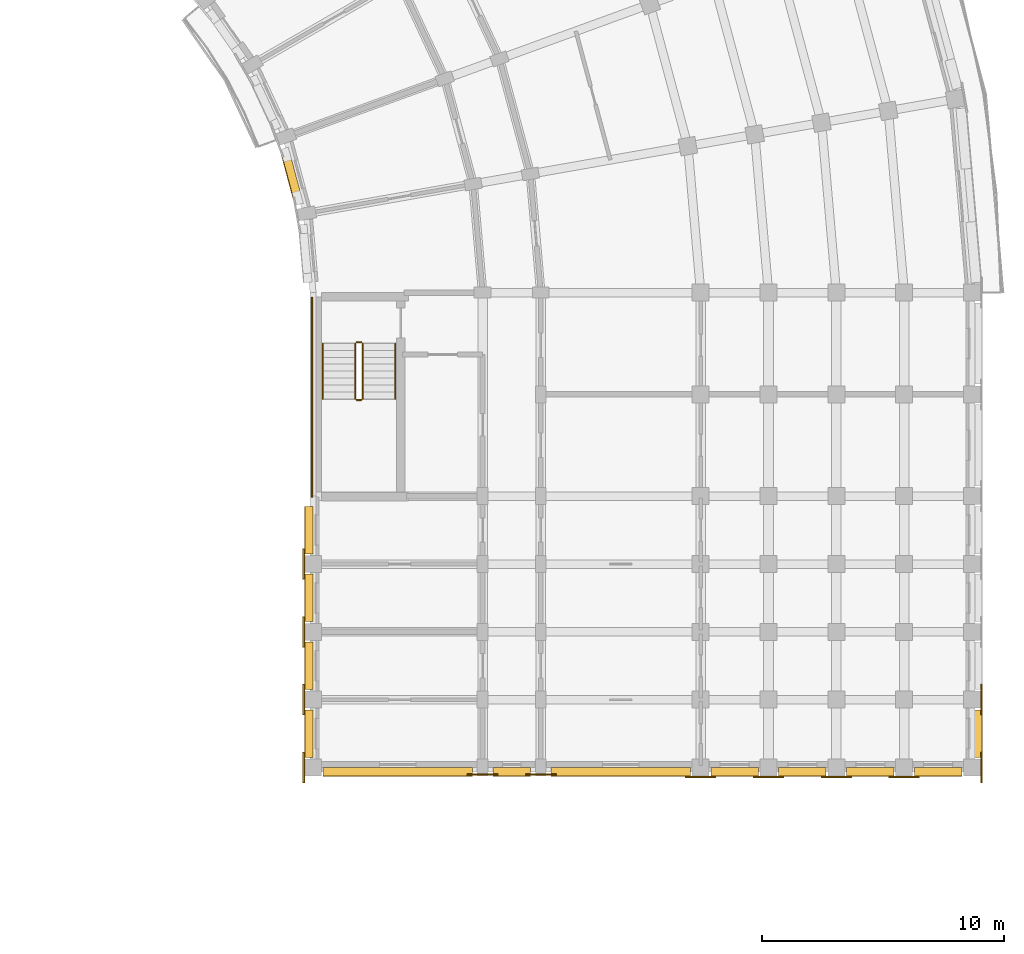
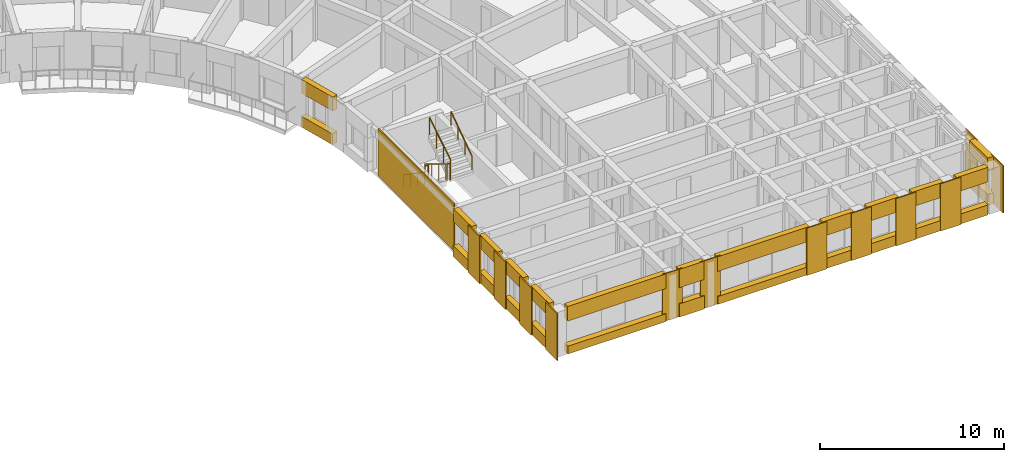
# One storey, part 55 of 57: 39 coverings, 6 railings.
"""IFC4 building model written with IfcOpenShell, lengths in metres."""

from ifc_helpers import new_model, si_unit, direction, frame, origin, origin_2d, place, context, subcontext, project, spatial, polyline, circle, outline, extrude, material, layer, layer_set, type_object, element, save


model = new_model("IFC4")

# Units and contexts
model_context = context("Model", 3, precision=1e-05, world=origin(), true_north=direction((0.0, 1.0)))
body_context = subcontext(model_context, "Body", "Model", "MODEL_VIEW")
ifc_project = project(units=[si_unit("LENGTHUNIT", "METRE"), si_unit("AREAUNIT", "SQUARE_METRE"), si_unit("VOLUMEUNIT", "CUBIC_METRE"), si_unit("PLANEANGLEUNIT", "RADIAN"), si_unit("MASSUNIT", "GRAM", prefix="KILO")], contexts=[model_context])

# Site, building, storey
site_placement = place(None, origin())
site = spatial("IfcSite", under=ifc_project, at=site_placement, CompositionType="ELEMENT")
building_placement = place(site_placement, origin())
building = spatial("IfcBuilding", under=site, at=building_placement, Name="Kiranvali Square Residences", CompositionType="ELEMENT")
storey_placement = place(building_placement, frame((0.0, 0.0, 24.449951171875)))
storey = spatial("IfcBuildingStorey", under=building, at=storey_placement, Name="L07", CompositionType="ELEMENT", Elevation=24.449951171875)

# Coverings
ifc_material_1 = material(Name="Honed Porbandar limestone ashlar facade cladding", Category="masonry")
ifc_layer_1 = layer(ifc_material_1, 0.06494140625)
ifc_layer_set_1 = layer_set([ifc_layer_1], Name="Honed Porbandar limestone ashlar facade cladding")
covering_type_1 = type_object("IfcCoveringType", Name="COV-CLAD-PIER", PredefinedType="CLADDING", material=ifc_layer_set_1)
covering_1_placement = place(storey_placement, frame((0.0, 0.0, 0.005126953125)))
element("IfcCovering", 1, at=covering_1_placement, inside=storey, type_object=covering_type_1, Name="L07 Classical limestone pilaster casing CLAD-PR-B-L07-V167", PredefinedType="CLADDING", context=body_context, shape_type="SweptSolid", body=[
    extrude(outline(polyline([(166.150390625, 71.6298828125), (166.150390625, 70.3701171875), (166.218017578125, 70.3701171875), (166.218017578125, 71.6298828125), (166.150390625, 71.6298828125)])), origin(), (0.0, 0.0, 1.0), 3.139892578125),
])
covering_2_placement = place(storey_placement, frame((0.0, 0.0, 0.005126953125)))
element("IfcCovering", 2, at=covering_2_placement, inside=storey, type_object=covering_type_1, Name="L07 Classical limestone pilaster casing CLAD-PR-B-L07-V196", PredefinedType="CLADDING", context=body_context, shape_type="SweptSolid", body=[
    extrude(outline(polyline([(166.150390625, 68.830078125), (166.150390625, 67.570068359375), (166.218017578125, 67.570068359375), (166.218017578125, 68.830078125), (166.150390625, 68.830078125)])), origin(), (0.0, 0.0, 1.0), 3.139892578125),
])
covering_3_placement = place(storey_placement, frame((0.0, 0.0, 0.005126953125)))
element("IfcCovering", 3, at=covering_3_placement, inside=storey, type_object=covering_type_1, Name="Block B L07 Arm 2 stair limestone ashlar cladding", PredefinedType="CLADDING", context=body_context, shape_type="SweptSolid", body=[
    extrude(outline(polyline([(138.52001953125, 87.60009765625), (138.52001953125, 79.35009765625), (138.597900390625, 79.35009765625), (138.597900390625, 87.60009765625), (138.52001953125, 87.60009765625)])), origin(), (0.0, 0.0, 1.0), 3.139892578125),
])
ifc_layer_2 = layer(ifc_material_1, 0.050048828125)
ifc_layer_set_2 = layer_set([ifc_layer_2], Name="Honed Porbandar limestone ashlar facade cladding")
covering_type_2 = type_object("IfcCoveringType", Name="COV-CLAD-PIER-IN", PredefinedType="CLADDING", material=ifc_layer_set_2)
covering_4_placement = place(storey_placement, frame((0.0, 0.0, 0.005126953125)))
element("IfcCovering", 4, at=covering_4_placement, inside=storey, type_object=covering_type_2, Name="L07 Classical limestone pilaster casing CLAD-PRA2I-B-L07-V112", PredefinedType="CLADDING", context=body_context, shape_type="SweptSolid", body=[
    extrude(outline(polyline([(138.181884765625, 77.22998046875), (138.181884765625, 75.969970703125), (138.24951171875, 75.969970703125), (138.24951171875, 77.22998046875), (138.181884765625, 77.22998046875)])), origin(), (0.0, 0.0, 1.0), 3.139892578125),
])
covering_5_placement = place(storey_placement, frame((0.0, 0.0, 0.005126953125)))
element("IfcCovering", 5, at=covering_5_placement, inside=storey, type_object=covering_type_2, Name="L07 Classical limestone pilaster casing CLAD-PRA2I-B-L07-V140", PredefinedType="CLADDING", context=body_context, shape_type="SweptSolid", body=[
    extrude(outline(polyline([(138.181884765625, 74.429931640625), (138.181884765625, 73.169921875), (138.24951171875, 73.169921875), (138.24951171875, 74.429931640625), (138.181884765625, 74.429931640625)])), origin(), (0.0, 0.0, 1.0), 3.139892578125),
])
covering_6_placement = place(storey_placement, frame((0.0, 0.0, 0.005126953125)))
element("IfcCovering", 6, at=covering_6_placement, inside=storey, type_object=covering_type_2, Name="L07 Classical limestone pilaster casing CLAD-PRA2I-B-L07-V167", PredefinedType="CLADDING", context=body_context, shape_type="SweptSolid", body=[
    extrude(outline(polyline([(138.181884765625, 71.6298828125), (138.181884765625, 70.3701171875), (138.24951171875, 70.3701171875), (138.24951171875, 71.6298828125), (138.181884765625, 71.6298828125)])), origin(), (0.0, 0.0, 1.0), 3.139892578125),
])
covering_7_placement = place(storey_placement, frame((0.0, 0.0, 0.005126953125)))
element("IfcCovering", 7, at=covering_7_placement, inside=storey, type_object=covering_type_2, Name="L07 Classical limestone pilaster casing CLAD-PRA2I-B-L07-V196", PredefinedType="CLADDING", context=body_context, shape_type="SweptSolid", body=[
    extrude(outline(polyline([(138.181884765625, 68.830078125), (138.181884765625, 67.570068359375), (138.24951171875, 67.570068359375), (138.24951171875, 68.830078125), (138.181884765625, 68.830078125)])), origin(), (0.0, 0.0, 1.0), 3.139892578125),
])
ifc_layer_3 = layer(ifc_material_1, 0.054931640625)
ifc_layer_set_3 = layer_set([ifc_layer_3], Name="Honed Porbandar limestone ashlar facade cladding")
covering_type_3 = type_object("IfcCoveringType", Name="COV-CLAD-PIER-UP", PredefinedType="CLADDING", material=ifc_layer_set_3)
covering_8_placement = place(storey_placement, frame((0.0, 0.0, 0.005126953125)))
element("IfcCovering", 8, at=covering_8_placement, inside=storey, type_object=covering_type_3, Name="L07 Classical limestone pilaster casing CLAD-PRA2E-B-L07-R258", PredefinedType="CLADDING", context=body_context, shape_type="SweptSolid", body=[
    extrude(outline(polyline([(144.969970703125, 67.882080078125), (146.22998046875, 67.882080078125), (146.22998046875, 67.949462890625), (144.969970703125, 67.949462890625), (144.969970703125, 67.882080078125)])), origin(), (0.0, 0.0, 1.0), 3.139892578125),
])
covering_9_placement = place(storey_placement, frame((0.0, 0.0, 0.005126953125)))
element("IfcCovering", 9, at=covering_9_placement, inside=storey, type_object=covering_type_3, Name="L07 Classical limestone pilaster casing CLAD-PRA2E-B-L07-R282", PredefinedType="CLADDING", context=body_context, shape_type="SweptSolid", body=[
    extrude(outline(polyline([(147.3701171875, 67.882080078125), (148.6298828125, 67.882080078125), (148.6298828125, 67.949462890625), (147.3701171875, 67.949462890625), (147.3701171875, 67.882080078125)])), origin(), (0.0, 0.0, 1.0), 3.139892578125),
])
covering_10_placement = place(storey_placement, frame((0.0, 0.0, 0.005126953125)))
element("IfcCovering", 10, at=covering_10_placement, inside=storey, type_object=covering_type_3, Name="L07 Classical limestone pilaster casing CLAD-PRA2E-B-L07-R348", PredefinedType="CLADDING", context=body_context, shape_type="SweptSolid", body=[
    extrude(outline(polyline([(153.969970703125, 67.781982421875), (155.22998046875, 67.781982421875), (155.22998046875, 67.849609375), (153.969970703125, 67.849609375), (153.969970703125, 67.781982421875)])), origin(), (0.0, 0.0, 1.0), 3.139892578125),
])
covering_11_placement = place(storey_placement, frame((0.0, 0.0, 0.005126953125)))
element("IfcCovering", 11, at=covering_11_placement, inside=storey, type_object=covering_type_3, Name="L07 Classical limestone pilaster casing CLAD-PRA2E-B-L07-R376", PredefinedType="CLADDING", context=body_context, shape_type="SweptSolid", body=[
    extrude(outline(polyline([(156.77001953125, 67.781982421875), (158.030029296875, 67.781982421875), (158.030029296875, 67.849609375), (156.77001953125, 67.849609375), (156.77001953125, 67.781982421875)])), origin(), (0.0, 0.0, 1.0), 3.139892578125),
])
covering_12_placement = place(storey_placement, frame((0.0, 0.0, 0.005126953125)))
element("IfcCovering", 12, at=covering_12_placement, inside=storey, type_object=covering_type_3, Name="L07 Classical limestone pilaster casing CLAD-PRA2E-B-L07-R404", PredefinedType="CLADDING", context=body_context, shape_type="SweptSolid", body=[
    extrude(outline(polyline([(159.570068359375, 67.781982421875), (160.830078125, 67.781982421875), (160.830078125, 67.849609375), (159.570068359375, 67.849609375), (159.570068359375, 67.781982421875)])), origin(), (0.0, 0.0, 1.0), 3.139892578125),
])
covering_13_placement = place(storey_placement, frame((0.0, 0.0, 0.005126953125)))
element("IfcCovering", 13, at=covering_13_placement, inside=storey, type_object=covering_type_3, Name="L07 Classical limestone pilaster casing CLAD-PRA2E-B-L07-R432", PredefinedType="CLADDING", context=body_context, shape_type="SweptSolid", body=[
    extrude(outline(polyline([(162.3701171875, 67.781982421875), (163.6298828125, 67.781982421875), (163.6298828125, 67.849609375), (162.3701171875, 67.849609375), (162.3701171875, 67.781982421875)])), origin(), (0.0, 0.0, 1.0), 3.139892578125),
])
ifc_layer_4 = layer(ifc_material_1, 0.360107421875)
ifc_layer_set_4 = layer_set([ifc_layer_4], Name="Honed Porbandar limestone ashlar facade cladding")
covering_type_4 = type_object("IfcCoveringType", Name="COV-CLAD-WALL", PredefinedType="CLADDING", material=ifc_layer_set_4)
covering_14_placement = place(storey_placement, frame((0.0, 0.0, 2.22216796875)))
element("IfcCovering", 14, at=covering_14_placement, inside=storey, type_object=covering_type_4, Name="L07 light limestone spandrel lintel B-L07-GDN-07", PredefinedType="CLADDING", context=body_context, shape_type="SweptSolid", body=[
    extrude(outline(polyline([(137.251708984375, 93.717041015625), (137.8720703125, 91.401611328125), (138.199951171875, 91.489501953125), (137.57958984375, 93.804931640625), (137.251708984375, 93.717041015625)])), origin(), (0.0, 0.0, 1.0), 0.9228515625),
])
covering_15_placement = place(storey_placement, frame((0.0, 0.0, 2.27197265625)))
element("IfcCovering", 15, at=covering_15_placement, inside=storey, type_object=covering_type_4, Name="L07 light limestone spandrel lintel B-L07-A2O-5", PredefinedType="CLADDING", context=body_context, shape_type="SweptSolid", body=[
    extrude(outline(polyline([(165.800537109375, 70.580078125), (165.800537109375, 68.6201171875), (166.199951171875, 68.6201171875), (166.199951171875, 70.580078125), (165.800537109375, 70.580078125)])), origin(), (0.0, 0.0, 1.0), 0.873046875),
])
covering_16_placement = place(storey_placement, frame((0.0, 0.0, 0.005126953125)))
element("IfcCovering", 16, at=covering_16_placement, inside=storey, type_object=covering_type_4, Name="L07 limestone window sill apron B-L07-A2O-5", PredefinedType="CLADDING", context=body_context, shape_type="SweptSolid", body=[
    extrude(outline(polyline([(165.800537109375, 70.580078125), (165.800537109375, 68.6201171875), (166.22998046875, 68.6201171875), (166.22998046875, 70.580078125), (165.800537109375, 70.580078125)])), origin(), (0.0, 0.0, 1.0), 0.717041015625),
])
covering_17_placement = place(storey_placement, frame((0.0, 0.0, 2.27197265625)))
element("IfcCovering", 17, at=covering_17_placement, inside=storey, type_object=covering_type_4, Name="L07 light limestone spandrel lintel B-L07-A2I-0", PredefinedType="CLADDING", context=body_context, shape_type="SweptSolid", body=[
    extrude(outline(polyline([(138.280029296875, 78.97998046875), (138.280029296875, 77.02001953125), (138.599609375, 77.02001953125), (138.599609375, 78.97998046875), (138.280029296875, 78.97998046875)])), origin(), (0.0, 0.0, 1.0), 0.873046875),
])
covering_18_placement = place(storey_placement, frame((0.0, 0.0, 0.005126953125)))
element("IfcCovering", 18, at=covering_18_placement, inside=storey, type_object=covering_type_4, Name="L07 limestone window sill apron B-L07-A2I-0", PredefinedType="CLADDING", context=body_context, shape_type="SweptSolid", body=[
    extrude(outline(polyline([(138.25, 78.97998046875), (138.25, 77.02001953125), (138.599609375, 77.02001953125), (138.599609375, 78.97998046875), (138.25, 78.97998046875)])), origin(), (0.0, 0.0, 1.0), 0.717041015625),
])
covering_19_placement = place(storey_placement, frame((0.0, 0.0, 2.27197265625)))
element("IfcCovering", 19, at=covering_19_placement, inside=storey, type_object=covering_type_4, Name="L07 light limestone spandrel lintel B-L07-A2I-1", PredefinedType="CLADDING", context=body_context, shape_type="SweptSolid", body=[
    extrude(outline(polyline([(138.280029296875, 76.179931640625), (138.280029296875, 74.219970703125), (138.599609375, 74.219970703125), (138.599609375, 76.179931640625), (138.280029296875, 76.179931640625)])), origin(), (0.0, 0.0, 1.0), 0.873046875),
])
covering_20_placement = place(storey_placement, frame((0.0, 0.0, 0.005126953125)))
element("IfcCovering", 20, at=covering_20_placement, inside=storey, type_object=covering_type_4, Name="L07 limestone window sill apron B-L07-A2I-1", PredefinedType="CLADDING", context=body_context, shape_type="SweptSolid", body=[
    extrude(outline(polyline([(138.25, 76.179931640625), (138.25, 74.219970703125), (138.599609375, 74.219970703125), (138.599609375, 76.179931640625), (138.25, 76.179931640625)])), origin(), (0.0, 0.0, 1.0), 0.717041015625),
])
covering_21_placement = place(storey_placement, frame((0.0, 0.0, 2.27197265625)))
element("IfcCovering", 21, at=covering_21_placement, inside=storey, type_object=covering_type_4, Name="L07 light limestone spandrel lintel B-L07-A2I-2", PredefinedType="CLADDING", context=body_context, shape_type="SweptSolid", body=[
    extrude(outline(polyline([(138.280029296875, 73.3798828125), (138.280029296875, 71.419921875), (138.599609375, 71.419921875), (138.599609375, 73.3798828125), (138.280029296875, 73.3798828125)])), origin(), (0.0, 0.0, 1.0), 0.873046875),
])
covering_22_placement = place(storey_placement, frame((0.0, 0.0, 0.005126953125)))
element("IfcCovering", 22, at=covering_22_placement, inside=storey, type_object=covering_type_4, Name="L07 limestone window sill apron B-L07-A2I-2", PredefinedType="CLADDING", context=body_context, shape_type="SweptSolid", body=[
    extrude(outline(polyline([(138.25, 73.3798828125), (138.25, 71.419921875), (138.599609375, 71.419921875), (138.599609375, 73.3798828125), (138.25, 73.3798828125)])), origin(), (0.0, 0.0, 1.0), 0.717041015625),
])
covering_23_placement = place(storey_placement, frame((0.0, 0.0, 2.27197265625)))
element("IfcCovering", 23, at=covering_23_placement, inside=storey, type_object=covering_type_4, Name="L07 light limestone spandrel lintel B-L07-A2I-3", PredefinedType="CLADDING", context=body_context, shape_type="SweptSolid", body=[
    extrude(outline(polyline([(138.280029296875, 70.580078125), (138.280029296875, 68.6201171875), (138.599609375, 68.6201171875), (138.599609375, 70.580078125), (138.280029296875, 70.580078125)])), origin(), (0.0, 0.0, 1.0), 0.873046875),
])
covering_24_placement = place(storey_placement, frame((0.0, 0.0, 0.005126953125)))
element("IfcCovering", 24, at=covering_24_placement, inside=storey, type_object=covering_type_4, Name="L07 limestone window sill apron B-L07-A2I-3", PredefinedType="CLADDING", context=body_context, shape_type="SweptSolid", body=[
    extrude(outline(polyline([(138.25, 70.580078125), (138.25, 68.6201171875), (138.599609375, 68.6201171875), (138.599609375, 70.580078125), (138.25, 70.580078125)])), origin(), (0.0, 0.0, 1.0), 0.717041015625),
])
covering_25_placement = place(storey_placement, frame((0.0, 0.0, 2.172119140625)))
element("IfcCovering", 25, at=covering_25_placement, inside=storey, type_object=covering_type_4, Name="L07 light limestone spandrel lintel B-L07-A2END-0", PredefinedType="CLADDING", context=body_context, shape_type="SweptSolid", body=[
    extrude(outline(polyline([(139.02001953125, 67.860107421875), (145.179931640625, 67.860107421875), (145.179931640625, 68.199462890625), (139.02001953125, 68.199462890625), (139.02001953125, 67.860107421875)])), origin(), (0.0, 0.0, 1.0), 0.972900390625),
])
covering_26_placement = place(storey_placement, frame((0.0, 0.0, 0.005126953125)))
element("IfcCovering", 26, at=covering_26_placement, inside=storey, type_object=covering_type_4, Name="L07 limestone window sill apron B-L07-A2END-0", PredefinedType="CLADDING", context=body_context, shape_type="SweptSolid", body=[
    extrude(outline(polyline([(139.02001953125, 67.830078125), (145.179931640625, 67.830078125), (145.179931640625, 68.199462890625), (139.02001953125, 68.199462890625), (139.02001953125, 67.830078125)])), origin(), (0.0, 0.0, 1.0), 0.516845703125),
])
covering_27_placement = place(storey_placement, frame((0.0, 0.0, 1.929931640625)))
element("IfcCovering", 27, at=covering_27_placement, inside=storey, type_object=covering_type_4, Name="L07 light limestone spandrel lintel B-L07-A2END-1", PredefinedType="CLADDING", context=body_context, shape_type="SweptSolid", body=[
    extrude(outline(polyline([(146.02001953125, 67.860107421875), (147.580078125, 67.860107421875), (147.580078125, 68.199462890625), (146.02001953125, 68.199462890625), (146.02001953125, 67.860107421875)])), origin(), (0.0, 0.0, 1.0), 1.215087890625),
])
covering_28_placement = place(storey_placement, frame((0.0, 0.0, 0.005126953125)))
element("IfcCovering", 28, at=covering_28_placement, inside=storey, type_object=covering_type_4, Name="L07 limestone window sill apron B-L07-A2END-1", PredefinedType="CLADDING", context=body_context, shape_type="SweptSolid", body=[
    extrude(outline(polyline([(146.02001953125, 67.830078125), (147.580078125, 67.830078125), (147.580078125, 68.199462890625), (146.02001953125, 68.199462890625), (146.02001953125, 67.830078125)])), origin(), (0.0, 0.0, 1.0), 0.875),
])
covering_29_placement = place(storey_placement, frame((0.0, 0.0, 2.172119140625)))
element("IfcCovering", 29, at=covering_29_placement, inside=storey, type_object=covering_type_4, Name="L07 light limestone spandrel lintel B-L07-A2END-2", PredefinedType="CLADDING", context=body_context, shape_type="SweptSolid", body=[
    extrude(outline(polyline([(148.419921875, 67.860107421875), (154.179931640625, 67.860107421875), (154.179931640625, 68.199462890625), (148.419921875, 68.199462890625), (148.419921875, 67.860107421875)])), origin(), (0.0, 0.0, 1.0), 0.972900390625),
])
covering_30_placement = place(storey_placement, frame((0.0, 0.0, 0.005126953125)))
element("IfcCovering", 30, at=covering_30_placement, inside=storey, type_object=covering_type_4, Name="L07 limestone window sill apron B-L07-A2END-2", PredefinedType="CLADDING", context=body_context, shape_type="SweptSolid", body=[
    extrude(outline(polyline([(148.419921875, 67.830078125), (154.179931640625, 67.830078125), (154.179931640625, 68.199462890625), (148.419921875, 68.199462890625), (148.419921875, 67.830078125)])), origin(), (0.0, 0.0, 1.0), 0.516845703125),
])
covering_31_placement = place(storey_placement, frame((0.0, 0.0, 2.172119140625)))
element("IfcCovering", 31, at=covering_31_placement, inside=storey, type_object=covering_type_4, Name="L07 light limestone spandrel lintel B-L07-A2END-3", PredefinedType="CLADDING", context=body_context, shape_type="SweptSolid", body=[
    extrude(outline(polyline([(155.02001953125, 67.860107421875), (156.97998046875, 67.860107421875), (156.97998046875, 68.199462890625), (155.02001953125, 68.199462890625), (155.02001953125, 67.860107421875)])), origin(), (0.0, 0.0, 1.0), 0.972900390625),
])
covering_32_placement = place(storey_placement, frame((0.0, 0.0, 0.005126953125)))
element("IfcCovering", 32, at=covering_32_placement, inside=storey, type_object=covering_type_4, Name="L07 limestone window sill apron B-L07-A2END-3", PredefinedType="CLADDING", context=body_context, shape_type="SweptSolid", body=[
    extrude(outline(polyline([(155.02001953125, 67.830078125), (156.97998046875, 67.830078125), (156.97998046875, 68.199462890625), (155.02001953125, 68.199462890625), (155.02001953125, 67.830078125)])), origin(), (0.0, 0.0, 1.0), 0.6669921875),
])
covering_33_placement = place(storey_placement, frame((0.0, 0.0, 2.172119140625)))
element("IfcCovering", 33, at=covering_33_placement, inside=storey, type_object=covering_type_4, Name="L07 light limestone spandrel lintel B-L07-A2END-4", PredefinedType="CLADDING", context=body_context, shape_type="SweptSolid", body=[
    extrude(outline(polyline([(157.820068359375, 67.860107421875), (159.780029296875, 67.860107421875), (159.780029296875, 68.199462890625), (157.820068359375, 68.199462890625), (157.820068359375, 67.860107421875)])), origin(), (0.0, 0.0, 1.0), 0.972900390625),
])
covering_34_placement = place(storey_placement, frame((0.0, 0.0, 0.005126953125)))
element("IfcCovering", 34, at=covering_34_placement, inside=storey, type_object=covering_type_4, Name="L07 limestone window sill apron B-L07-A2END-4", PredefinedType="CLADDING", context=body_context, shape_type="SweptSolid", body=[
    extrude(outline(polyline([(157.820068359375, 67.830078125), (159.780029296875, 67.830078125), (159.780029296875, 68.199462890625), (157.820068359375, 68.199462890625), (157.820068359375, 67.830078125)])), origin(), (0.0, 0.0, 1.0), 0.6669921875),
])
covering_35_placement = place(storey_placement, frame((0.0, 0.0, 2.172119140625)))
element("IfcCovering", 35, at=covering_35_placement, inside=storey, type_object=covering_type_4, Name="L07 light limestone spandrel lintel B-L07-A2END-5", PredefinedType="CLADDING", context=body_context, shape_type="SweptSolid", body=[
    extrude(outline(polyline([(160.6201171875, 67.860107421875), (162.580078125, 67.860107421875), (162.580078125, 68.199462890625), (160.6201171875, 68.199462890625), (160.6201171875, 67.860107421875)])), origin(), (0.0, 0.0, 1.0), 0.972900390625),
])
covering_36_placement = place(storey_placement, frame((0.0, 0.0, 0.005126953125)))
element("IfcCovering", 36, at=covering_36_placement, inside=storey, type_object=covering_type_4, Name="L07 limestone window sill apron B-L07-A2END-5", PredefinedType="CLADDING", context=body_context, shape_type="SweptSolid", body=[
    extrude(outline(polyline([(160.6201171875, 67.830078125), (162.580078125, 67.830078125), (162.580078125, 68.199462890625), (160.6201171875, 68.199462890625), (160.6201171875, 67.830078125)])), origin(), (0.0, 0.0, 1.0), 0.6669921875),
])
covering_37_placement = place(storey_placement, frame((0.0, 0.0, 2.172119140625)))
element("IfcCovering", 37, at=covering_37_placement, inside=storey, type_object=covering_type_4, Name="L07 light limestone spandrel lintel B-L07-A2END-6", PredefinedType="CLADDING", context=body_context, shape_type="SweptSolid", body=[
    extrude(outline(polyline([(163.419921875, 67.860107421875), (165.3798828125, 67.860107421875), (165.3798828125, 68.199462890625), (163.419921875, 68.199462890625), (163.419921875, 67.860107421875)])), origin(), (0.0, 0.0, 1.0), 0.972900390625),
])
covering_38_placement = place(storey_placement, frame((0.0, 0.0, 0.005126953125)))
element("IfcCovering", 38, at=covering_38_placement, inside=storey, type_object=covering_type_4, Name="L07 limestone window sill apron B-L07-A2END-6", PredefinedType="CLADDING", context=body_context, shape_type="SweptSolid", body=[
    extrude(outline(polyline([(163.419921875, 67.830078125), (165.3798828125, 67.830078125), (165.3798828125, 68.199462890625), (163.419921875, 68.199462890625), (163.419921875, 67.830078125)])), origin(), (0.0, 0.0, 1.0), 0.6669921875),
])
ifc_layer_5 = layer(ifc_material_1, 0.2900390625)
ifc_layer_set_5 = layer_set([ifc_layer_5], Name="Honed Porbandar limestone ashlar facade cladding")
covering_type_5 = type_object("IfcCoveringType", Name="COV-CLAD-WALL-IN", PredefinedType="CLADDING", material=ifc_layer_set_5)
covering_39_placement = place(storey_placement, frame((0.0, 0.0, 0.005126953125)))
element("IfcCovering", 39, at=covering_39_placement, inside=storey, type_object=covering_type_5, Name="L07 limestone window sill apron B-L07-GDN-07", PredefinedType="CLADDING", context=body_context, shape_type="SweptSolid", body=[
    extrude(outline(polyline([(137.22265625, 93.709228515625), (137.843017578125, 91.393798828125), (138.199951171875, 91.489501953125), (137.57958984375, 93.804931640625), (137.22265625, 93.709228515625)])), origin(), (0.0, 0.0, 1.0), 0.717041015625),
])

# Railings
ifc_material_2 = material(Name="Brushed stainless steel tubular handrail", Category="steel")
railing_type_1 = type_object("IfcRailingType", Name="RL-HANDRAIL-900", PredefinedType="HANDRAIL", material=ifc_material_2)
railing_1_placement = place(storey_placement, frame((139.0, 85.699951171875, 0.175048828125)))
element("IfcRailing", 40, at=railing_1_placement, inside=storey, type_object=railing_type_1, Name="L07 ST-B3 stair handrail 1", PredefinedType="HANDRAIL", context=body_context, shape_type="SweptSolid", body=[
    extrude(circle(Radius=0.02392578125, at=origin_2d()), frame((0.0, 0.0, 0.8759765625), z_axis=(0.0, -0.82278801735, 0.568348377763), x_axis=(1.0, 0.0, 0.0)), (0.0, 0.0, 1.0), 2.77099609375),
    extrude(circle(Radius=0.02099609375, at=origin_2d()), origin(), (0.0, 0.0, 1.0), 0.851806640625),
    extrude(circle(Radius=0.02099609375, at=origin_2d()), frame((0.0, -0.760009765625, 0.52490234375)), (0.0, 0.0, 1.0), 0.851806640625),
    extrude(circle(Radius=0.02099609375, at=origin_2d()), frame((0.0, -1.52001953125, 1.050048828125)), (0.0, 0.0, 1.0), 0.851806640625),
    extrude(circle(Radius=0.02099609375, at=origin_2d()), frame((0.0, -2.280029296875, 1.574951171875)), (0.0, 0.0, 1.0), 0.851806640625),
])
railing_2_placement = place(storey_placement, frame((142.0, 83.419921875, 1.75)))
element("IfcRailing", 41, at=railing_2_placement, inside=storey, type_object=railing_type_1, Name="L07 ST-B3 stair handrail 2", PredefinedType="HANDRAIL", context=body_context, shape_type="SweptSolid", body=[
    extrude(circle(Radius=0.02392578125, at=origin_2d()), frame((0.0, 0.0, 0.8759765625), z_axis=(0.0, 0.82278801735, 0.568348377763), x_axis=(-1.0, 0.0, 0.0)), (0.0, 0.0, 1.0), 2.77099609375),
    extrude(circle(Radius=0.02099609375, at=origin_2d()), origin(), (0.0, 0.0, 1.0), 0.851806640625),
    extrude(circle(Radius=0.02099609375, at=origin_2d()), frame((0.0, 0.760009765625, 0.52490234375)), (0.0, 0.0, 1.0), 0.851806640625),
    extrude(circle(Radius=0.02099609375, at=origin_2d()), frame((0.0, 1.52001953125, 1.050048828125)), (0.0, 0.0, 1.0), 0.851806640625),
    extrude(circle(Radius=0.02099609375, at=origin_2d()), frame((0.0, 2.280029296875, 1.574951171875)), (0.0, 0.0, 1.0), 0.851806640625),
])
ifc_material_3 = material(Name="Powder-coated architectural bronze balustrade", Category="steel")
railing_type_2 = type_object("IfcRailingType", Name="RL-ST-GUARD-1200", PredefinedType="GUARDRAIL", material=ifc_material_3)
railing_3_placement = place(storey_placement, frame((140.35009765625, 85.699951171875, 0.175048828125)))
element("IfcRailing", 42, at=railing_3_placement, inside=storey, type_object=railing_type_2, Name="L07 ST-B3 stair guard 1", PredefinedType="GUARDRAIL", context=body_context, shape_type="SweptSolid", body=[
    extrude(circle(Radius=0.02392578125, at=origin_2d()), frame((0.0, 0.0, 1.1259765625), z_axis=(0.0, -0.852190499154, 0.523231643875), x_axis=(1.0, 0.0, 0.0)), (0.0, 0.0, 1.0), 2.675537109375),
    extrude(circle(Radius=0.02099609375, at=origin_2d()), origin(), (0.0, 0.0, 1.0), 1.101806640625),
    extrude(circle(Radius=0.02099609375, at=origin_2d()), frame((0.0, -0.760009765625, 0.466552734375)), (0.0, 0.0, 1.0), 1.101806640625),
    extrude(circle(Radius=0.02099609375, at=origin_2d()), frame((0.0, -1.52001953125, 0.933349609375)), (0.0, 0.0, 1.0), 1.101806640625),
    extrude(circle(Radius=0.02099609375, at=origin_2d()), frame((0.0, -2.280029296875, 1.39990234375)), (0.0, 0.0, 1.0), 1.101806640625),
])
railing_4_placement = place(storey_placement, frame((140.39990234375, 83.3701171875, 1.574951171875)))
element("IfcRailing", 43, at=railing_4_placement, inside=storey, type_object=railing_type_2, Name="L07 ST-B3 stair guard 2", PredefinedType="GUARDRAIL", context=body_context, shape_type="SweptSolid", body=[
    extrude(circle(Radius=0.02392578125, at=origin_2d()), frame((0.0, 0.0, 1.1259765625), z_axis=(1.0, 0.0, 0.0), x_axis=(0.0, 1.0, 0.0)), (0.0, 0.0, 1.0), 0.2001953125),
    extrude(circle(Radius=0.02099609375, at=origin_2d()), origin(), (0.0, 0.0, 1.0), 1.101806640625),
    extrude(circle(Radius=0.02099609375, at=origin_2d()), frame((0.2001953125, 0.0, 0.0)), (0.0, 0.0, 1.0), 1.101806640625),
])
railing_5_placement = place(storey_placement, frame((140.64990234375, 83.419921875, 1.75)))
element("IfcRailing", 44, at=railing_5_placement, inside=storey, type_object=railing_type_2, Name="L07 ST-B3 stair guard 3", PredefinedType="GUARDRAIL", context=body_context, shape_type="SweptSolid", body=[
    extrude(circle(Radius=0.02392578125, at=origin_2d()), frame((0.0, 0.0, 1.1259765625), z_axis=(0.0, 0.852149810458, 0.523297908018), x_axis=(-1.0, 0.0, 0.0)), (0.0, 0.0, 1.0), 2.675537109375),
    extrude(circle(Radius=0.02099609375, at=origin_2d()), origin(), (0.0, 0.0, 1.0), 1.101806640625),
    extrude(circle(Radius=0.02099609375, at=origin_2d()), frame((0.0, 0.760009765625, 0.466796875)), (0.0, 0.0, 1.0), 1.101806640625),
    extrude(circle(Radius=0.02099609375, at=origin_2d()), frame((0.0, 1.52001953125, 0.933349609375)), (0.0, 0.0, 1.0), 1.101806640625),
    extrude(circle(Radius=0.02099609375, at=origin_2d()), frame((0.0, 2.280029296875, 1.400146484375)), (0.0, 0.0, 1.0), 1.101806640625),
])
railing_6_placement = place(storey_placement, frame((140.39990234375, 85.75, 0.0)))
element("IfcRailing", 45, at=railing_6_placement, inside=storey, type_object=railing_type_2, Name="L07 ST-B3 stair guard 4", PredefinedType="GUARDRAIL", context=body_context, shape_type="SweptSolid", body=[
    extrude(circle(Radius=0.02392578125, at=origin_2d()), frame((0.0, 0.0, 1.1259765625), z_axis=(1.0, 0.0, 0.0), x_axis=(0.0, 1.0, 0.0)), (0.0, 0.0, 1.0), 0.2001953125),
    extrude(circle(Radius=0.02099609375, at=origin_2d()), origin(), (0.0, 0.0, 1.0), 1.101806640625),
    extrude(circle(Radius=0.02099609375, at=origin_2d()), frame((0.2001953125, 0.0, 0.0)), (0.0, 0.0, 1.0), 1.101806640625),
])

save(model, "model.ifc")
